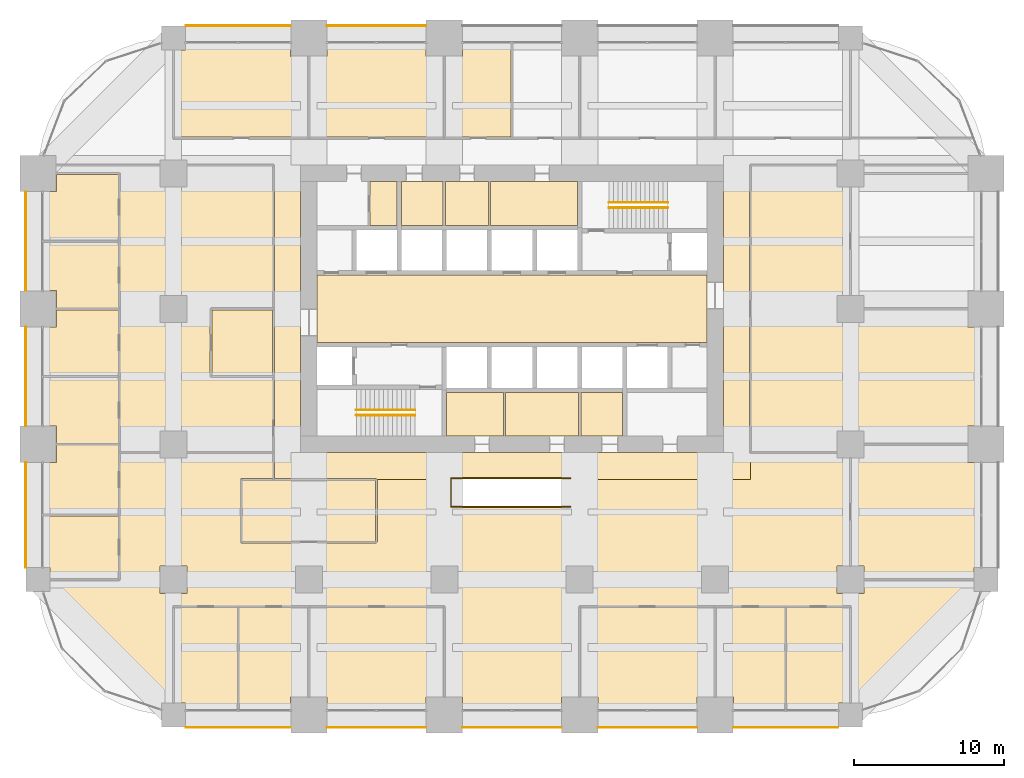
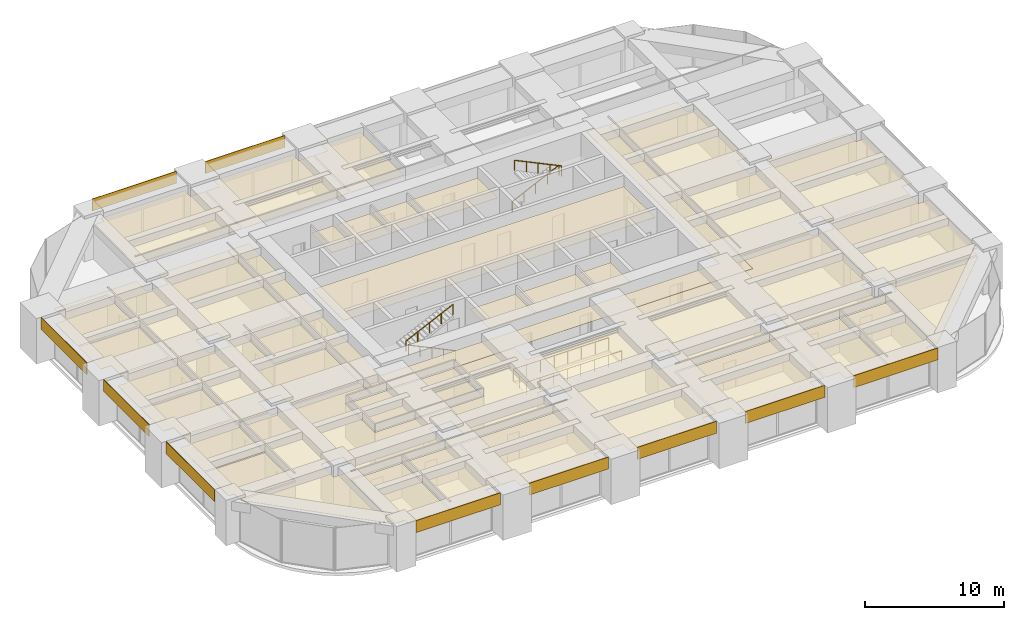
# One storey, part 42 of 43: 40 coverings, 5 railings.
"""IFC4 building model written with IfcOpenShell, lengths in metres."""

import ifcopenshell
import ifcopenshell.guid

model = None  # the IFC model being written
_history = None  # IfcOwnerHistory: only IFC2X3 demands one
_inside = {}  # id of a spatial element -> (the spatial element, [elements in it])
_under = {}  # id of a project, library or spatial element -> (it, [spatial elements below it])
_declared = {}  # id of a project -> (the project, [libraries it declares])
_typed = {}  # id of a type object -> (the type object, [elements of that type])
_made_of = {}  # id of a material, layer set ... -> (it, [elements and type objects made of it])


def new_model(schema):
    """Start an empty IFC model of exactly this schema.

    Asked for "IFC4X3", IfcOpenShell would pick the latest addendum, in which some entities
    have other attributes; the version numbers below select the first issue.
    IFC2X3 requires an IfcOwnerHistory on every rooted entity: one is made here for all.
    """
    global model, _history
    if schema == "IFC4X3":
        model = ifcopenshell.file(schema_version=(4, 3, 0, 0))
    else:
        model = ifcopenshell.file(schema=schema)
    _inside.clear()
    _under.clear()
    _declared.clear()
    _typed.clear()
    _made_of.clear()
    _history = None
    if model.schema == "IFC2X3":
        org = make("IfcOrganization", Name="unknown")
        user = make(
            "IfcPersonAndOrganization",
            ThePerson=make("IfcPerson", FamilyName="unknown"),
            TheOrganization=org,
        )
        app = make(
            "IfcApplication",
            ApplicationDeveloper=org,
            Version="unknown",
            ApplicationFullName="unknown",
            ApplicationIdentifier="unknown",
        )
        _history = make(
            "IfcOwnerHistory",
            OwningUser=user,
            OwningApplication=app,
            ChangeAction="ADDED",
            CreationDate=0,
        )
    return model


def make(cls, **values):
    """One entity of the class cls with the attributes given. An attribute that is None is left unset."""
    return model.create_entity(
        cls, **{name: value for name, value in values.items() if value is not None}
    )


def rooted(cls, **values):
    """An entity with a GlobalId (a new one), such as an element, a storey or a relation."""
    return make(cls, GlobalId=ifcopenshell.guid.new(), OwnerHistory=_history, **values)


def si_unit(unit_type, name, prefix=None):
    """IfcSIUnit, for example si_unit("LENGTHUNIT", "METRE", prefix="MILLI")."""
    return make("IfcSIUnit", UnitType=unit_type, Prefix=prefix, Name=name)


def assignment(units):
    """IfcUnitAssignment: the units of a project."""
    return None if units is None else make("IfcUnitAssignment", Units=units)


def point(xyz):
    """IfcCartesianPoint."""
    return None if xyz is None else make("IfcCartesianPoint", Coordinates=xyz)


def direction(xyz):
    """IfcDirection."""
    return None if xyz is None else make("IfcDirection", DirectionRatios=xyz)


def frame(location, z_axis=None, x_axis=None):
    """IfcAxis2Placement3D, a coordinate frame: its origin and axes. An axis left out is left unset."""
    return make(
        "IfcAxis2Placement3D",
        Location=point(location),
        Axis=direction(z_axis),
        RefDirection=direction(x_axis),
    )


def frame_2d(location, x_axis=None):
    """IfcAxis2Placement2D, a coordinate frame in the plane: its origin and x axis."""
    return make(
        "IfcAxis2Placement2D", Location=point(location), RefDirection=direction(x_axis)
    )


def origin():
    """The frame at (0, 0, 0) with its axes left unset."""
    return frame((0.0, 0.0, 0.0))


def origin_2d():
    """The frame at (0, 0) in the plane with its x axis left unset."""
    return frame_2d((0.0, 0.0))


def place(relative_to, where):
    """IfcLocalPlacement: puts the frame where relative to a parent placement (None: the world)."""
    return make(
        "IfcLocalPlacement", PlacementRelTo=relative_to, RelativePlacement=where
    )


def context(
    kind, dimensions, precision=None, world=None, true_north=None, identifier=None
):
    """IfcGeometricRepresentationContext, for example the 3D "Model" context."""
    return make(
        "IfcGeometricRepresentationContext",
        ContextIdentifier=identifier,
        ContextType=kind,
        CoordinateSpaceDimension=dimensions,
        Precision=precision,
        WorldCoordinateSystem=world,
        TrueNorth=true_north,
    )


def subcontext(parent, identifier, kind, view, scale=None):
    """IfcGeometricRepresentationSubContext, for example "Body" below "Model"."""
    return make(
        "IfcGeometricRepresentationSubContext",
        ContextIdentifier=identifier,
        ContextType=kind,
        ParentContext=parent,
        TargetScale=scale,
        TargetView=view,
    )


def project(units=None, contexts=None):
    """IfcProject with its units and contexts."""
    return rooted(
        "IfcProject",
        Name="project",
        RepresentationContexts=contexts,
        UnitsInContext=assignment(units),
    )


def spatial(cls, under=None, at=None, **own):
    """A site, building, storey or space (cls), placed at a placement, below another one or the project."""
    s = rooted(cls, ObjectPlacement=at, **own)
    if under is not None:
        _under.setdefault(under.id(), (under, []))[1].append(s)
    return s


def polyline(points):
    """IfcPolyline through the points."""
    return make("IfcPolyline", Points=[point(p) for p in points])


def profile(cls, at=None, kind="AREA", **sizes):
    """A parametric profile (cls). Its sizes go by their IFC names, for example OverallWidth=200.0."""
    return make(cls, ProfileType=kind, Position=at, **sizes)


def rectangle(**sizes):
    """IfcRectangleProfileDef."""
    return profile("IfcRectangleProfileDef", **sizes)


def circle(**sizes):
    """IfcCircleProfileDef."""
    return profile("IfcCircleProfileDef", **sizes)


def outline(outer, holes=None, kind="AREA"):
    """IfcArbitraryClosedProfileDef: a profile drawn as a closed curve; with holes, ...WithVoids."""
    if holes is None:
        return make("IfcArbitraryClosedProfileDef", ProfileType=kind, OuterCurve=outer)
    return make(
        "IfcArbitraryProfileDefWithVoids",
        ProfileType=kind,
        OuterCurve=outer,
        InnerCurves=holes,
    )


def extrude(swept, where, along, depth):
    """IfcExtrudedAreaSolid: the profile swept, set in the frame where, extruded along a direction by depth."""
    return make(
        "IfcExtrudedAreaSolid",
        SweptArea=swept,
        Position=where,
        ExtrudedDirection=direction(along),
        Depth=depth,
    )


def shape(context_of_items, identifier, shape_type, items):
    """IfcShapeRepresentation: the items that make up one representation, for example the "Body"."""
    return make(
        "IfcShapeRepresentation",
        ContextOfItems=context_of_items,
        RepresentationIdentifier=identifier,
        RepresentationType=shape_type,
        Items=items,
    )


def material(Name=None, Category=None):
    """IfcMaterial."""
    return make("IfcMaterial", Name=Name, Category=Category)


def layer(
    of_material, thickness, ventilated=None, Name=None, Category=None, Priority=None
):
    """IfcMaterialLayer: one layer of a wall or slab, of a material (None: an air gap)."""
    return make(
        "IfcMaterialLayer",
        Material=of_material,
        LayerThickness=thickness,
        IsVentilated=ventilated,
        Name=Name,
        Category=Category,
        Priority=Priority,
    )


def layer_set(layers, Name=None):
    """IfcMaterialLayerSet."""
    return make("IfcMaterialLayerSet", MaterialLayers=layers, LayerSetName=Name)


def made_of(thing, what):
    """Note that an element or type object is made of a material, layer set ...; save() writes the relation."""
    if what is not None:
        _made_of.setdefault(what.id(), (what, []))[1].append(thing)
    return thing


def type_object(cls, material=None, **own):
    """A type object (cls), such as IfcWallType, which elements share."""
    return made_of(rooted(cls, **own), material)


def element(
    cls,
    number,
    at=None,
    inside=None,
    cuts=None,
    type_object=None,
    material=None,
    context=None,
    identifier="Body",
    shape_type=None,
    held_by="IfcProductDefinitionShape",
    body=None,
    shapes=None,
    **own,
):
    """One element of the class cls, such as IfcWall. Its Tag is "e" and its number.

    at: its placement. inside: the storey or other place that contains it. cuts: it is an
    opening in that element (IfcRelVoidsElement). A single representation is given by context,
    identifier, shape_type and body (its items); several are given by shapes. held_by: the class
    of the entity that holds the representations. save() writes the other relations.
    """
    e = rooted(cls, Tag="e%d" % number, ObjectPlacement=at, **own)
    if body is not None:
        shapes = [shape(context, identifier, shape_type, body)]
    if shapes is not None:
        e.Representation = make(held_by, Representations=shapes)
    if inside is not None:
        _inside.setdefault(inside.id(), (inside, []))[1].append(e)
    if cuts is not None:
        rooted(
            "IfcRelVoidsElement", RelatingBuildingElement=cuts, RelatedOpeningElement=e
        )
    if type_object is not None:
        _typed.setdefault(type_object.id(), (type_object, []))[1].append(e)
    return made_of(e, material)


def aggregate(whole, parts):
    """IfcRelAggregates: a whole, such as a stair, and the parts it consists of."""
    return rooted("IfcRelAggregates", RelatingObject=whole, RelatedObjects=parts)


def save(model, path):
    """Write the relations noted so far, then the file.

    IfcRelAggregates (storeys below a building ...), IfcRelContainedInSpatialStructure (elements
    in a storey), IfcRelDefinesByType, IfcRelAssociatesMaterial and IfcRelDeclares: one each for
    every whole, place, type object, material and project.
    """
    for whole, parts in _under.values():
        aggregate(whole, parts)
    for where, things in _inside.values():
        rooted(
            "IfcRelContainedInSpatialStructure",
            RelatedElements=things,
            RelatingStructure=where,
        )
    for kind, things in _typed.values():
        rooted("IfcRelDefinesByType", RelatedObjects=things, RelatingType=kind)
    for what, things in _made_of.values():
        rooted("IfcRelAssociatesMaterial", RelatedObjects=things, RelatingMaterial=what)
    for by, libraries in _declared.values():
        rooted("IfcRelDeclares", RelatingContext=by, RelatedDefinitions=libraries)
    model.write(path)


model = new_model("IFC4")

# Units and contexts
model_context = context("Model", 3, precision=1e-05, world=origin(), true_north=direction((0.0, 1.0)))
body_context = subcontext(model_context, "Body", "Model", "MODEL_VIEW")
ifc_project = project(units=[si_unit("LENGTHUNIT", "METRE"), si_unit("AREAUNIT", "SQUARE_METRE"), si_unit("VOLUMEUNIT", "CUBIC_METRE"), si_unit("PLANEANGLEUNIT", "RADIAN"), si_unit("MASSUNIT", "GRAM", prefix="KILO")], contexts=[model_context])

# Site, building, storey
site_placement = place(None, origin())
site = spatial("IfcSite", under=ifc_project, at=site_placement, CompositionType="ELEMENT")
building_placement = place(site_placement, origin())
building = spatial("IfcBuilding", under=site, at=building_placement, Name="Zorevar Civic Tower", CompositionType="ELEMENT")
storey_placement = place(building_placement, frame((0.0, 0.0, 141.0)))
storey = spatial("IfcBuildingStorey", under=building, at=storey_placement, Name="L34", CompositionType="ELEMENT", Elevation=141.0)

# Railings
ifc_material_1 = material(Name="Laminated glass balustrade with black steel handrail", Category="steel")
railing_type_1 = type_object("IfcRailingType", Name="Balustrade BL1 1100", PredefinedType="BALUSTRADE", material=ifc_material_1)
railing_1_placement = place(storey_placement, frame((35.39990234375, 13.85009765625, 0.0)))
element("IfcRailing", 1, at=railing_1_placement, inside=storey, type_object=railing_type_1, Name="Balustrade BL1 stair void L34", PredefinedType="BALUSTRADE", context=body_context, shape_type="SweptSolid", body=[
    extrude(circle(Radius=0.02392578125, at=origin_2d()), frame((0.0, 0.0, 1.076171875), z_axis=(-1.0, 0.0, 0.0), x_axis=(0.0, -1.0, 0.0)), (0.0, 0.0, 1.0), 7.949951171875),
    extrude(circle(Radius=0.02392578125, at=origin_2d()), frame((-7.949951171875, 0.0, 1.076171875), z_axis=(0.0, 1.0, 0.0), x_axis=(-1.0, 0.0, 0.0)), (0.0, 0.0, 1.0), 1.89990234375),
    extrude(circle(Radius=0.02392578125, at=origin_2d()), frame((-7.949951171875, 1.89990234375, 1.076171875), z_axis=(1.0, 0.0, 0.0), x_axis=(0.0, 1.0, 0.0)), (0.0, 0.0, 1.0), 7.949951171875),
    extrude(circle(Radius=0.02099609375, at=origin_2d()), origin(), (0.0, 0.0, 1.0), 1.052001953125),
    extrude(circle(Radius=0.02099609375, at=origin_2d()), frame((-1.1357421875, 0.0, 0.0)), (0.0, 0.0, 1.0), 1.052001953125),
    extrude(circle(Radius=0.02099609375, at=origin_2d()), frame((-2.271484375, 0.0, 0.0)), (0.0, 0.0, 1.0), 1.052001953125),
    extrude(circle(Radius=0.02099609375, at=origin_2d()), frame((-3.4072265625, 0.0, 0.0)), (0.0, 0.0, 1.0), 1.052001953125),
    extrude(circle(Radius=0.02099609375, at=origin_2d()), frame((-4.542724609375, 0.0, 0.0)), (0.0, 0.0, 1.0), 1.052001953125),
    extrude(circle(Radius=0.02099609375, at=origin_2d()), frame((-5.678466796875, 0.0, 0.0)), (0.0, 0.0, 1.0), 1.052001953125),
    extrude(circle(Radius=0.02099609375, at=origin_2d()), frame((-6.814208984375, 0.0, 0.0)), (0.0, 0.0, 1.0), 1.052001953125),
    extrude(circle(Radius=0.02099609375, at=origin_2d()), frame((-7.949951171875, 0.0, 0.0)), (0.0, 0.0, 1.0), 1.052001953125),
    extrude(circle(Radius=0.02099609375, at=origin_2d()), frame((-7.949951171875, 0.949951171875, 0.0)), (0.0, 0.0, 1.0), 1.052001953125),
    extrude(circle(Radius=0.02099609375, at=origin_2d()), frame((-7.949951171875, 1.89990234375, 0.0)), (0.0, 0.0, 1.0), 1.052001953125),
    extrude(circle(Radius=0.02099609375, at=origin_2d()), frame((-6.814208984375, 1.89990234375, 0.0)), (0.0, 0.0, 1.0), 1.052001953125),
    extrude(circle(Radius=0.02099609375, at=origin_2d()), frame((-5.678466796875, 1.89990234375, 0.0)), (0.0, 0.0, 1.0), 1.052001953125),
    extrude(circle(Radius=0.02099609375, at=origin_2d()), frame((-4.542724609375, 1.89990234375, 0.0)), (0.0, 0.0, 1.0), 1.052001953125),
    extrude(circle(Radius=0.02099609375, at=origin_2d()), frame((-3.4072265625, 1.89990234375, 0.0)), (0.0, 0.0, 1.0), 1.052001953125),
    extrude(circle(Radius=0.02099609375, at=origin_2d()), frame((-2.271484375, 1.89990234375, 0.0)), (0.0, 0.0, 1.0), 1.052001953125),
    extrude(circle(Radius=0.02099609375, at=origin_2d()), frame((-1.1357421875, 1.89990234375, 0.0)), (0.0, 0.0, 1.0), 1.052001953125),
    extrude(circle(Radius=0.02099609375, at=origin_2d()), frame((0.0, 1.89990234375, 0.0)), (0.0, 0.0, 1.0), 1.052001953125),
])
ifc_material_2 = material(Name="Black steel handrail", Category="steel")
railing_type_2 = type_object("IfcRailingType", Name="Handrail HR1 900", PredefinedType="HANDRAIL", material=ifc_material_2)
railing_2_placement = place(storey_placement, frame((25.050048828125, 19.925048828125, 0.142822265625)))
element("IfcRailing", 2, at=railing_2_placement, inside=storey, type_object=railing_type_2, Name="Handrail HR1 ST1 L34", PredefinedType="HANDRAIL", context=body_context, shape_type="SweptSolid", body=[
    extrude(circle(Radius=0.02392578125, at=origin_2d()), frame((0.0, 0.0, 0.8759765625), z_axis=(-0.902863652845, 0.0, 0.429926998885), x_axis=(0.0, -1.0, 0.0)), (0.0, 0.0, 1.0), 4.31982421875),
    extrude(circle(Radius=0.02099609375, at=origin_2d()), origin(), (0.0, 0.0, 1.0), 0.851806640625),
    extrude(circle(Radius=0.02099609375, at=origin_2d()), frame((-0.97509765625, 0.0, 0.46435546875)), (0.0, 0.0, 1.0), 0.851806640625),
    extrude(circle(Radius=0.02099609375, at=origin_2d()), frame((-1.9501953125, 0.0, 0.9287109375)), (0.0, 0.0, 1.0), 0.851806640625),
    extrude(circle(Radius=0.02099609375, at=origin_2d()), frame((-2.925048828125, 0.0, 1.392822265625)), (0.0, 0.0, 1.0), 0.851806640625),
    extrude(circle(Radius=0.02099609375, at=origin_2d()), frame((-3.900146484375, 0.0, 1.857177734375)), (0.0, 0.0, 1.0), 0.851806640625),
])
for number, where, name in (
    (3, (21.14990234375, 20.27490234375, 2.142822265625), "Handrail HR1 ST1 L34"),
    (4, (37.949951171875, 34.074951171875, 0.142822265625), "Handrail HR1 ST2 L34"),
):
    element("IfcRailing", number, at=place(storey_placement, frame(where)), inside=storey, type_object=railing_type_2, Name=name, PredefinedType="HANDRAIL", context=body_context, shape_type="SweptSolid", body=[
        extrude(circle(Radius=0.02392578125, at=origin_2d()), frame((0.0, 0.0, 0.8759765625), z_axis=(0.902863652845, 0.0, 0.429926998885), x_axis=(0.0, 1.0, 0.0)), (0.0, 0.0, 1.0), 4.31982421875),
        extrude(circle(Radius=0.02099609375, at=origin_2d()), origin(), (0.0, 0.0, 1.0), 0.851806640625),
        extrude(circle(Radius=0.02099609375, at=origin_2d()), frame((0.97509765625, 0.0, 0.46435546875)), (0.0, 0.0, 1.0), 0.851806640625),
        extrude(circle(Radius=0.02099609375, at=origin_2d()), frame((1.9501953125, 0.0, 0.9287109375)), (0.0, 0.0, 1.0), 0.851806640625),
        extrude(circle(Radius=0.02099609375, at=origin_2d()), frame((2.925048828125, 0.0, 1.392822265625)), (0.0, 0.0, 1.0), 0.851806640625),
        extrude(circle(Radius=0.02099609375, at=origin_2d()), frame((3.900146484375, 0.0, 1.857177734375)), (0.0, 0.0, 1.0), 0.851806640625),
    ])
railing_3_placement = place(storey_placement, frame((41.85009765625, 33.72509765625, 2.142822265625)))
element("IfcRailing", 5, at=railing_3_placement, inside=storey, type_object=railing_type_2, Name="Handrail HR1 ST2 L34", PredefinedType="HANDRAIL", context=body_context, shape_type="SweptSolid", body=[
    extrude(circle(Radius=0.02392578125, at=origin_2d()), frame((0.0, 0.0, 0.8759765625), z_axis=(-0.902863652845, 0.0, 0.429926998885), x_axis=(0.0, -1.0, 0.0)), (0.0, 0.0, 1.0), 4.31982421875),
    extrude(circle(Radius=0.02099609375, at=origin_2d()), origin(), (0.0, 0.0, 1.0), 0.851806640625),
    extrude(circle(Radius=0.02099609375, at=origin_2d()), frame((-0.97509765625, 0.0, 0.46435546875)), (0.0, 0.0, 1.0), 0.851806640625),
    extrude(circle(Radius=0.02099609375, at=origin_2d()), frame((-1.9501953125, 0.0, 0.9287109375)), (0.0, 0.0, 1.0), 0.851806640625),
    extrude(circle(Radius=0.02099609375, at=origin_2d()), frame((-2.925048828125, 0.0, 1.392822265625)), (0.0, 0.0, 1.0), 0.851806640625),
    extrude(circle(Radius=0.02099609375, at=origin_2d()), frame((-3.900146484375, 0.0, 1.857177734375)), (0.0, 0.0, 1.0), 0.851806640625),
])

# Coverings
ifc_material_3 = material(Name="Moisture-resistant gypsum board")
ifc_layer_1 = layer(ifc_material_3, 0.012451171875)
ifc_layer_set_1 = layer_set([ifc_layer_1], Name="Moisture-resistant ceiling SC3")
covering_type_1 = type_object("IfcCoveringType", Name="Moisture-resistant ceiling SC3", PredefinedType="CEILING", material=ifc_layer_set_1)
covering_1_placement = place(storey_placement, frame((0.0, 0.0, 3.0)))
element("IfcCovering", 6, at=covering_1_placement, inside=storey, type_object=covering_type_1, Name="Ceiling L34-05", PredefinedType="CEILING", context=body_context, shape_type="SweptSolid", body=[
    extrude(outline(polyline([(30.925048828125, 18.550048828125), (30.925048828125, 21.449951171875), (27.14990234375, 21.449951171875), (27.14990234375, 18.550048828125), (30.925048828125, 18.550048828125)])), origin(), (0.0, 0.0, 1.0), 0.012451171875),
])
covering_2_placement = place(storey_placement, frame((0.0, 0.0, 3.0)))
element("IfcCovering", 7, at=covering_2_placement, inside=storey, type_object=covering_type_1, Name="Ceiling L34-06", PredefinedType="CEILING", context=body_context, shape_type="SweptSolid", body=[
    extrude(outline(polyline([(35.925048828125, 18.550048828125), (35.925048828125, 21.449951171875), (31.074951171875, 21.449951171875), (31.074951171875, 18.550048828125), (35.925048828125, 18.550048828125)])), origin(), (0.0, 0.0, 1.0), 0.012451171875),
])
covering_3_placement = place(storey_placement, frame((0.0, 0.0, 3.0)))
element("IfcCovering", 8, at=covering_3_placement, inside=storey, type_object=covering_type_1, Name="Ceiling L34-07", PredefinedType="CEILING", context=body_context, shape_type="SweptSolid", body=[
    extrude(outline(polyline([(38.85009765625, 18.550048828125), (38.85009765625, 21.449951171875), (36.074951171875, 21.449951171875), (36.074951171875, 18.550048828125), (38.85009765625, 18.550048828125)])), origin(), (0.0, 0.0, 1.0), 0.012451171875),
])
covering_4_placement = place(storey_placement, frame((0.0, 0.0, 3.0)))
element("IfcCovering", 9, at=covering_4_placement, inside=storey, type_object=covering_type_1, Name="Ceiling L34-10", PredefinedType="CEILING", context=body_context, shape_type="SweptSolid", body=[
    extrude(outline(polyline([(26.925048828125, 32.550048828125), (26.925048828125, 35.449951171875), (24.14990234375, 35.449951171875), (24.14990234375, 32.550048828125), (26.925048828125, 32.550048828125)])), origin(), (0.0, 0.0, 1.0), 0.012451171875),
])
ifc_material_4 = material(Name="Black anodised aluminium spandrel panel", Category="aluminium")
ifc_layer_2 = layer(ifc_material_4, 0.050048828125)
ifc_layer_set_2 = layer_set([ifc_layer_2], Name="Spandrel cladding SP1")
covering_type_2 = type_object("IfcCoveringType", Name="Spandrel cladding SP1", PredefinedType="CLADDING", material=ifc_layer_set_2)
covering_5_placement = place(storey_placement, frame((9.800048828125, -0.824951171875, 2.949951171875), z_axis=(0.0, 0.0, 1.0), x_axis=(1.0, 0.0, 0.0)))
element("IfcCovering", 10, at=covering_5_placement, inside=storey, type_object=covering_type_2, Name="Spandrel cladding L35", PredefinedType="CLADDING", context=body_context, shape_type="SweptSolid", body=[
    extrude(rectangle(XDim=7.0, YDim=0.050048828125, at=frame_2d((3.5, 0.0))), origin(), (0.0, 0.0, 1.0), 1.050048828125),
])
for number, where, z_axis, x_axis, name in (
    (11, (19.199951171875, -0.824951171875, 2.949951171875), (0.0, 0.0, 1.0), (1.0, 0.0, 0.0), "Spandrel cladding L35"),
    (12, (28.199951171875, -0.824951171875, 2.949951171875), (0.0, 0.0, 1.0), (1.0, 0.0, 0.0), "Spandrel cladding L35"),
    (13, (37.199951171875, -0.824951171875, 2.949951171875), (0.0, 0.0, 1.0), (1.0, 0.0, 0.0), "Spandrel cladding L35"),
):
    element("IfcCovering", number, at=place(storey_placement, frame(where, z_axis=z_axis, x_axis=x_axis)), inside=storey, type_object=covering_type_2, Name=name, PredefinedType="CLADDING", context=body_context, shape_type="SweptSolid", body=[
        extrude(rectangle(XDim=6.60009765625, YDim=0.050048828125, at=frame_2d((3.300048828125, 0.0))), origin(), (0.0, 0.0, 1.0), 1.050048828125),
    ])
for number, where, z_axis, x_axis, name in (
    (14, (46.199951171875, -0.824951171875, 2.949951171875), (0.0, 0.0, 1.0), (1.0, 0.0, 0.0), "Spandrel cladding L35"),
    (15, (9.800048828125, 45.824951171875, 2.949951171875), (0.0, 0.0, 1.0), (1.0, 0.0, 0.0), "Spandrel cladding L35"),
):
    element("IfcCovering", number, at=place(storey_placement, frame(where, z_axis=z_axis, x_axis=x_axis)), inside=storey, type_object=covering_type_2, Name=name, PredefinedType="CLADDING", context=body_context, shape_type="SweptSolid", body=[
        extrude(rectangle(XDim=7.0, YDim=0.050048828125, at=frame_2d((3.5, 0.0))), origin(), (0.0, 0.0, 1.0), 1.050048828125),
    ])
covering_6_placement = place(storey_placement, frame((19.199951171875, 45.824951171875, 2.949951171875), z_axis=(0.0, 0.0, 1.0), x_axis=(1.0, 0.0, 0.0)))
element("IfcCovering", 16, at=covering_6_placement, inside=storey, type_object=covering_type_2, Name="Spandrel cladding L35", PredefinedType="CLADDING", context=body_context, shape_type="SweptSolid", body=[
    extrude(rectangle(XDim=6.60009765625, YDim=0.050048828125, at=frame_2d((3.300048828125, 0.0))), origin(), (0.0, 0.0, 1.0), 1.050048828125),
])
covering_7_placement = place(storey_placement, frame((-0.824951171875, 9.800048828125, 2.949951171875), z_axis=(0.0, 0.0, 1.0), x_axis=(0.0, 1.0, 0.0)))
element("IfcCovering", 17, at=covering_7_placement, inside=storey, type_object=covering_type_2, Name="Spandrel cladding L35", PredefinedType="CLADDING", context=body_context, shape_type="SweptSolid", body=[
    extrude(rectangle(XDim=7.0, YDim=0.050048828125, at=frame_2d((3.5, 0.0))), origin(), (0.0, 0.0, 1.0), 1.050048828125),
])
for number, where, z_axis, x_axis, name in (
    (18, (-0.824951171875, 19.199951171875, 2.949951171875), (0.0, 0.0, 1.0), (0.0, 1.0, 0.0), "Spandrel cladding L35"),
    (19, (-0.824951171875, 28.199951171875, 2.949951171875), (0.0, 0.0, 1.0), (0.0, 1.0, 0.0), "Spandrel cladding L35"),
):
    element("IfcCovering", number, at=place(storey_placement, frame(where, z_axis=z_axis, x_axis=x_axis)), inside=storey, type_object=covering_type_2, Name=name, PredefinedType="CLADDING", context=body_context, shape_type="SweptSolid", body=[
        extrude(rectangle(XDim=6.60009765625, YDim=0.050048828125, at=frame_2d((3.300048828125, 0.0))), origin(), (0.0, 0.0, 1.0), 1.050048828125),
    ])
ifc_material_5 = material(Name="Mineral fibre tiles on a concealed grid")
ifc_layer_3 = layer(ifc_material_5, 0.02001953125)
ifc_layer_set_3 = layer_set([ifc_layer_3], Name="Suspended ceiling SC1")
covering_type_3 = type_object("IfcCoveringType", Name="Suspended ceiling SC1", PredefinedType="CEILING", material=ifc_layer_set_3)
covering_8_placement = place(storey_placement, frame((0.0, 0.0, 3.0)))
element("IfcCovering", 20, at=covering_8_placement, inside=storey, type_object=covering_type_3, Name="Ceiling L34-08", PredefinedType="CEILING", context=body_context, shape_type="SweptSolid", body=[
    extrude(outline(polyline([(35.85009765625, 32.550048828125), (35.85009765625, 35.449951171875), (30.06005859375, 35.449951171875), (30.06005859375, 32.550048828125), (35.85009765625, 32.550048828125)])), origin(), (0.0, 0.0, 1.0), 0.02001953125),
])
covering_9_placement = place(storey_placement, frame((0.0, 0.0, 3.0)))
element("IfcCovering", 21, at=covering_9_placement, inside=storey, type_object=covering_type_3, Name="Ceiling L34-09", PredefinedType="CEILING", context=body_context, shape_type="SweptSolid", body=[
    extrude(outline(polyline([(29.93994140625, 32.550048828125), (29.93994140625, 35.449951171875), (27.074951171875, 35.449951171875), (27.074951171875, 32.550048828125), (29.93994140625, 32.550048828125)])), origin(), (0.0, 0.0, 1.0), 0.02001953125),
])
covering_10_placement = place(storey_placement, frame((0.0, 0.0, 3.0)))
element("IfcCovering", 22, at=covering_10_placement, inside=storey, type_object=covering_type_3, Name="Ceiling L34-12", PredefinedType="CEILING", context=body_context, shape_type="SweptSolid", body=[
    extrude(outline(polyline([(23.85009765625, 32.550048828125), (23.85009765625, 35.449951171875), (22.06005859375, 35.449951171875), (22.06005859375, 32.550048828125), (23.85009765625, 32.550048828125)])), origin(), (0.0, 0.0, 1.0), 0.02001953125),
])
covering_11_placement = place(storey_placement, frame((0.0, 0.0, 3.0)))
element("IfcCovering", 23, at=covering_11_placement, inside=storey, type_object=covering_type_3, Name="Ceiling L34-16", PredefinedType="CEILING", context=body_context, shape_type="SweptSolid", body=[
    extrude(outline(polyline([(44.449951171875, 24.75), (44.449951171875, 29.25), (18.550048828125, 29.25), (18.550048828125, 24.75), (44.449951171875, 24.75)])), origin(), (0.0, 0.0, 1.0), 0.02001953125),
])
covering_12_placement = place(storey_placement, frame((0.0, 0.0, 3.0)))
element("IfcCovering", 24, at=covering_12_placement, inside=storey, type_object=covering_type_3, Name="Ceiling L34-17", PredefinedType="CEILING", context=body_context, shape_type="SweptSolid", body=[
    extrude(outline(polyline([(9.81005859375, 44.18994140625), (9.81005859375, 44.64990234375), (16.7900390625, 44.64990234375), (16.7900390625, 43.7900390625), (17.93994140625, 43.7900390625), (17.93994140625, 38.409912109375), (9.06005859375, 38.409912109375), (9.06005859375, 44.18994140625), (9.81005859375, 44.18994140625)])), origin(), (0.0, 0.0, 1.0), 0.02001953125),
])
covering_13_placement = place(storey_placement, frame((0.0, 0.0, 3.0)))
element("IfcCovering", 25, at=covering_13_placement, inside=storey, type_object=covering_type_3, Name="Ceiling L34-18", PredefinedType="CEILING", context=body_context, shape_type="SweptSolid", body=[
    extrude(outline(polyline([(19.2099609375, 43.7900390625), (19.2099609375, 44.64990234375), (25.7900390625, 44.64990234375), (25.7900390625, 43.7900390625), (26.93994140625, 43.7900390625), (26.93994140625, 38.409912109375), (18.06005859375, 38.409912109375), (18.06005859375, 43.7900390625), (19.2099609375, 43.7900390625)])), origin(), (0.0, 0.0, 1.0), 0.02001953125),
])
covering_14_placement = place(storey_placement, frame((0.0, 0.0, 3.0)))
element("IfcCovering", 26, at=covering_14_placement, inside=storey, type_object=covering_type_3, Name="Ceiling L34-19", PredefinedType="CEILING", context=body_context, shape_type="SweptSolid", body=[
    extrude(outline(polyline([(27.06005859375, 38.409912109375), (27.06005859375, 43.7900390625), (28.2099609375, 43.7900390625), (28.2099609375, 44.64990234375), (31.43994140625, 44.64990234375), (31.43994140625, 38.409912109375), (27.06005859375, 38.409912109375)])), origin(), (0.0, 0.0, 1.0), 0.02001953125),
])
covering_15_placement = place(storey_placement, frame((0.0, 0.0, 3.0)))
element("IfcCovering", 27, at=covering_15_placement, inside=storey, type_object=covering_type_3, Name="Ceiling L34-23", PredefinedType="CEILING", context=body_context, shape_type="SweptSolid", body=[
    extrude(outline(polyline([(13.239990234375, 7.139892578125), (13.239990234375, 0.35009765625), (9.81005859375, 0.35009765625), (9.81005859375, 0.81005859375), (9.06005859375, 0.81005859375), (9.06005859375, 7.139892578125), (13.239990234375, 7.139892578125)])), origin(), (0.0, 0.0, 1.0), 0.02001953125),
])
covering_16_placement = place(storey_placement, frame((0.0, 0.0, 3.0)))
element("IfcCovering", 28, at=covering_16_placement, inside=storey, type_object=covering_type_3, Name="Ceiling L34-24", PredefinedType="CEILING", context=body_context, shape_type="SweptSolid", body=[
    extrude(outline(polyline([(17.93994140625, 7.139892578125), (17.93994140625, 1.2099609375), (16.7900390625, 1.2099609375), (16.7900390625, 0.35009765625), (13.360107421875, 0.35009765625), (13.360107421875, 7.139892578125), (17.93994140625, 7.139892578125)])), origin(), (0.0, 0.0, 1.0), 0.02001953125),
])
covering_17_placement = place(storey_placement, frame((0.0, 0.0, 3.0)))
element("IfcCovering", 29, at=covering_17_placement, inside=storey, type_object=covering_type_3, Name="Ceiling L34-25", PredefinedType="CEILING", context=body_context, shape_type="SweptSolid", body=[
    extrude(outline(polyline([(19.2099609375, 0.35009765625), (19.2099609375, 1.2099609375), (18.06005859375, 1.2099609375), (18.06005859375, 7.139892578125), (26.93994140625, 7.139892578125), (26.93994140625, 1.2099609375), (25.7900390625, 1.2099609375), (25.7900390625, 0.35009765625), (19.2099609375, 0.35009765625)])), origin(), (0.0, 0.0, 1.0), 0.02001953125),
])
covering_18_placement = place(storey_placement, frame((0.0, 0.0, 3.0)))
element("IfcCovering", 30, at=covering_18_placement, inside=storey, type_object=covering_type_3, Name="Ceiling L34-26", PredefinedType="CEILING", context=body_context, shape_type="SweptSolid", body=[
    extrude(outline(polyline([(37.2099609375, 0.35009765625), (37.2099609375, 1.2099609375), (36.06005859375, 1.2099609375), (36.06005859375, 7.139892578125), (44.93994140625, 7.139892578125), (44.93994140625, 1.2099609375), (43.7900390625, 1.2099609375), (43.7900390625, 0.35009765625), (37.2099609375, 0.35009765625)])), origin(), (0.0, 0.0, 1.0), 0.02001953125),
])
covering_19_placement = place(storey_placement, frame((0.0, 0.0, 3.0)))
element("IfcCovering", 31, at=covering_19_placement, inside=storey, type_object=covering_type_3, Name="Ceiling L34-27", PredefinedType="CEILING", context=body_context, shape_type="SweptSolid", body=[
    extrude(outline(polyline([(49.639892578125, 7.139892578125), (49.639892578125, 0.35009765625), (46.2099609375, 0.35009765625), (46.2099609375, 1.2099609375), (45.06005859375, 1.2099609375), (45.06005859375, 7.139892578125), (49.639892578125, 7.139892578125)])), origin(), (0.0, 0.0, 1.0), 0.02001953125),
])
covering_20_placement = place(storey_placement, frame((0.0, 0.0, 3.0)))
element("IfcCovering", 32, at=covering_20_placement, inside=storey, type_object=covering_type_3, Name="Ceiling L34-28", PredefinedType="CEILING", context=body_context, shape_type="SweptSolid", body=[
    extrude(outline(polyline([(53.93994140625, 7.139892578125), (53.93994140625, 0.81005859375), (53.18994140625, 0.81005859375), (53.18994140625, 0.35009765625), (49.760009765625, 0.35009765625), (49.760009765625, 7.139892578125), (53.93994140625, 7.139892578125)])), origin(), (0.0, 0.0, 1.0), 0.02001953125),
])
covering_21_placement = place(storey_placement, frame((0.0, 0.0, 3.0)))
element("IfcCovering", 33, at=covering_21_placement, inside=storey, type_object=covering_type_3, Name="Ceiling L34-29", PredefinedType="CEILING", context=body_context, shape_type="SweptSolid", body=[
    extrude(outline(polyline([(5.340087890625, 9.06005859375), (0.81005859375, 9.06005859375), (0.81005859375, 9.81005859375), (0.35009765625, 9.81005859375), (0.35009765625, 13.239990234375), (5.340087890625, 13.239990234375), (5.340087890625, 9.06005859375)])), origin(), (0.0, 0.0, 1.0), 0.02001953125),
])
covering_22_placement = place(storey_placement, frame((0.0, 0.0, 3.0)))
element("IfcCovering", 34, at=covering_22_placement, inside=storey, type_object=covering_type_3, Name="Ceiling L34-30", PredefinedType="CEILING", context=body_context, shape_type="SweptSolid", body=[
    extrude(outline(polyline([(5.340087890625, 13.360107421875), (0.35009765625, 13.360107421875), (0.35009765625, 16.7900390625), (1.2099609375, 16.7900390625), (1.2099609375, 17.93994140625), (5.340087890625, 17.93994140625), (5.340087890625, 13.360107421875)])), origin(), (0.0, 0.0, 1.0), 0.02001953125),
])
covering_23_placement = place(storey_placement, frame((0.0, 0.0, 3.0)))
element("IfcCovering", 35, at=covering_23_placement, inside=storey, type_object=covering_type_3, Name="Ceiling L34-31", PredefinedType="CEILING", context=body_context, shape_type="SweptSolid", body=[
    extrude(outline(polyline([(5.340087890625, 18.06005859375), (1.2099609375, 18.06005859375), (1.2099609375, 19.2099609375), (0.35009765625, 19.2099609375), (0.35009765625, 22.43994140625), (5.340087890625, 22.43994140625), (5.340087890625, 18.06005859375)])), origin(), (0.0, 0.0, 1.0), 0.02001953125),
])
covering_24_placement = place(storey_placement, frame((0.0, 0.0, 3.0)))
element("IfcCovering", 36, at=covering_24_placement, inside=storey, type_object=covering_type_3, Name="Ceiling L34-32", PredefinedType="CEILING", context=body_context, shape_type="SweptSolid", body=[
    extrude(outline(polyline([(5.340087890625, 22.56005859375), (0.35009765625, 22.56005859375), (0.35009765625, 25.7900390625), (1.2099609375, 25.7900390625), (1.2099609375, 26.93994140625), (5.340087890625, 26.93994140625), (5.340087890625, 22.56005859375)])), origin(), (0.0, 0.0, 1.0), 0.02001953125),
])
covering_25_placement = place(storey_placement, frame((0.0, 0.0, 3.0)))
element("IfcCovering", 37, at=covering_25_placement, inside=storey, type_object=covering_type_3, Name="Ceiling L34-33", PredefinedType="CEILING", context=body_context, shape_type="SweptSolid", body=[
    extrude(outline(polyline([(5.340087890625, 27.06005859375), (1.2099609375, 27.06005859375), (1.2099609375, 28.2099609375), (0.35009765625, 28.2099609375), (0.35009765625, 31.43994140625), (5.340087890625, 31.43994140625), (5.340087890625, 27.06005859375)])), origin(), (0.0, 0.0, 1.0), 0.02001953125),
])
covering_26_placement = place(storey_placement, frame((0.0, 0.0, 3.0)))
element("IfcCovering", 38, at=covering_26_placement, inside=storey, type_object=covering_type_3, Name="Ceiling L34-34", PredefinedType="CEILING", context=body_context, shape_type="SweptSolid", body=[
    extrude(outline(polyline([(5.340087890625, 31.56005859375), (0.35009765625, 31.56005859375), (0.35009765625, 34.7900390625), (1.2099609375, 34.7900390625), (1.2099609375, 35.93994140625), (5.340087890625, 35.93994140625), (5.340087890625, 31.56005859375)])), origin(), (0.0, 0.0, 1.0), 0.02001953125),
])
covering_27_placement = place(storey_placement, frame((0.0, 0.0, 3.0)))
element("IfcCovering", 39, at=covering_27_placement, inside=storey, type_object=covering_type_3, Name="Ceiling L34-35", PredefinedType="CEILING", context=body_context, shape_type="SweptSolid", body=[
    extrude(outline(polyline([(62.64990234375, 9.81005859375), (62.18994140625, 9.81005859375), (62.18994140625, 9.06005859375), (54.909912109375, 9.06005859375), (54.909912109375, 9.909912109375), (54.06005859375, 9.909912109375), (54.06005859375, 17.090087890625), (54.909912109375, 17.090087890625), (54.909912109375, 17.93994140625), (61.7900390625, 17.93994140625), (61.7900390625, 16.7900390625), (62.64990234375, 16.7900390625), (62.64990234375, 9.81005859375)])), origin(), (0.0, 0.0, 1.0), 0.02001953125),
])
covering_28_placement = place(storey_placement, frame((0.0, 0.0, 3.0)))
element("IfcCovering", 40, at=covering_28_placement, inside=storey, type_object=covering_type_3, Name="Ceiling L34-37", PredefinedType="CEILING", context=body_context, shape_type="SweptSolid", body=[
    extrude(outline(polyline([(13.56005859375, 15.590087890625), (22.43994140625, 15.590087890625), (22.43994140625, 11.550048828125), (13.56005859375, 11.550048828125), (13.56005859375, 15.590087890625)])), origin(), (0.0, 0.0, 1.0), 0.02001953125),
])
covering_29_placement = place(storey_placement, frame((0.0, 0.0, 3.0)))
element("IfcCovering", 41, at=covering_29_placement, inside=storey, type_object=covering_type_3, Name="Ceiling L34-38", PredefinedType="CEILING", context=body_context, shape_type="SweptSolid", body=[
    extrude(outline(polyline([(11.56005859375, 26.93994140625), (15.590087890625, 26.93994140625), (15.590087890625, 22.56005859375), (11.56005859375, 22.56005859375), (11.56005859375, 26.93994140625)])), origin(), (0.0, 0.0, 1.0), 0.02001953125),
])
covering_30_placement = place(storey_placement, frame((0.0, 0.0, 3.0)))
element("IfcCovering", 42, at=covering_30_placement, inside=storey, type_object=covering_type_3, Name="Ceiling L34-40", PredefinedType="CEILING", context=body_context, shape_type="SweptSolid", body=[
    extrude(outline(polyline([(27.5, 15.64990234375), (22.5, 15.64990234375), (22.5, 15.7099609375), (15.699951171875, 15.7099609375), (15.699951171875, 22.5), (15.7099609375, 22.5), (15.7099609375, 27.0), (15.699951171875, 27.0), (15.699951171875, 36.550048828125), (17.449951171875, 36.550048828125), (17.449951171875, 17.449951171875), (45.550048828125, 17.449951171875), (45.550048828125, 36.550048828125), (47.300048828125, 36.550048828125), (47.300048828125, 17.449951171875), (47.35009765625, 17.449951171875), (47.35009765625, 15.64990234375), (35.39990234375, 15.64990234375), (35.39990234375, 15.699951171875), (27.5, 15.699951171875), (27.5, 15.64990234375)])), origin(), (0.0, 0.0, 1.0), 0.02001953125),
])
covering_31_placement = place(storey_placement, frame((0.0, 0.0, 3.0)))
element("IfcCovering", 43, at=covering_31_placement, inside=storey, type_object=covering_type_3, Name="Ceiling L34-41", PredefinedType="CEILING", context=body_context, shape_type="SweptSolid", body=[
    extrude(outline(polyline([(62.64990234375, 19.2099609375), (61.7900390625, 19.2099609375), (61.7900390625, 18.06005859375), (54.909912109375, 18.06005859375), (54.909912109375, 18.909912109375), (53.090087890625, 18.909912109375), (53.090087890625, 17.5), (47.39990234375, 17.5), (47.39990234375, 36.5), (53.090087890625, 36.5), (53.090087890625, 35.090087890625), (53.93994140625, 35.090087890625), (53.93994140625, 27.909912109375), (53.090087890625, 27.909912109375), (53.090087890625, 26.090087890625), (54.909912109375, 26.090087890625), (54.909912109375, 26.93994140625), (61.7900390625, 26.93994140625), (61.7900390625, 25.7900390625), (62.64990234375, 25.7900390625), (62.64990234375, 19.2099609375)])), origin(), (0.0, 0.0, 1.0), 0.02001953125),
])
covering_32_placement = place(storey_placement, frame((0.0, 0.0, 3.0)))
element("IfcCovering", 44, at=covering_32_placement, inside=storey, type_object=covering_type_3, Name="Ceiling L34-43", PredefinedType="CEILING", context=body_context, shape_type="SweptSolid", body=[
    extrude(outline(polyline([(9.909912109375, 17.090087890625), (9.909912109375, 17.39990234375), (15.60009765625, 17.39990234375), (15.60009765625, 15.7099609375), (13.5, 15.7099609375), (13.5, 15.64990234375), (13.43994140625, 15.64990234375), (13.43994140625, 11.5), (13.5, 11.5), (13.5, 11.449951171875), (22.5, 11.449951171875), (22.5, 11.5), (22.56005859375, 11.5), (22.56005859375, 15.64990234375), (27.5, 15.64990234375), (27.5, 13.89990234375), (35.39990234375, 13.89990234375), (35.39990234375, 15.64990234375), (47.35009765625, 15.64990234375), (47.35009765625, 17.39990234375), (53.090087890625, 17.39990234375), (53.090087890625, 17.090087890625), (53.93994140625, 17.090087890625), (53.93994140625, 9.909912109375), (53.090087890625, 9.909912109375), (53.090087890625, 8.090087890625), (54.909912109375, 8.090087890625), (54.909912109375, 8.93994140625), (62.18994140625, 8.93994140625), (62.18994140625, 8.897216796875), (54.102783203125, 0.81005859375), (54.06005859375, 0.81005859375), (54.06005859375, 7.199951171875), (54.0, 7.199951171875), (54.0, 7.260009765625), (36.0, 7.260009765625), (36.0, 7.199951171875), (35.93994140625, 7.199951171875), (35.93994140625, 1.2099609375), (34.7900390625, 1.2099609375), (34.7900390625, 0.35009765625), (28.2099609375, 0.35009765625), (28.2099609375, 1.2099609375), (27.06005859375, 1.2099609375), (27.06005859375, 7.199951171875), (27.0, 7.199951171875), (27.0, 7.260009765625), (9.0, 7.260009765625), (9.0, 7.199951171875), (8.93994140625, 7.199951171875), (8.93994140625, 0.81005859375), (8.897216796875, 0.81005859375), (0.81005859375, 8.897216796875), (0.81005859375, 8.93994140625), (5.39990234375, 8.93994140625), (5.39990234375, 9.0), (5.4599609375, 9.0), (5.4599609375, 17.39990234375), (8.090087890625, 17.39990234375), (8.090087890625, 17.090087890625), (9.909912109375, 17.090087890625)]), holes=[polyline([(8.090087890625, 9.909912109375), (8.090087890625, 8.090087890625), (9.909912109375, 8.090087890625), (9.909912109375, 9.909912109375), (8.090087890625, 9.909912109375)]), polyline([(18.909912109375, 8.090087890625), (18.909912109375, 9.909912109375), (17.090087890625, 9.909912109375), (17.090087890625, 8.090087890625), (18.909912109375, 8.090087890625)]), polyline([(26.090087890625, 9.909912109375), (26.090087890625, 8.090087890625), (27.909912109375, 8.090087890625), (27.909912109375, 9.909912109375), (26.090087890625, 9.909912109375)]), polyline([(36.909912109375, 8.090087890625), (36.909912109375, 9.909912109375), (35.090087890625, 9.909912109375), (35.090087890625, 8.090087890625), (36.909912109375, 8.090087890625)]), polyline([(44.090087890625, 8.090087890625), (45.909912109375, 8.090087890625), (45.909912109375, 9.909912109375), (44.090087890625, 9.909912109375), (44.090087890625, 8.090087890625)])]), origin(), (0.0, 0.0, 1.0), 0.02001953125),
])
covering_33_placement = place(storey_placement, frame((0.0, 0.0, 3.0)))
element("IfcCovering", 45, at=covering_33_placement, inside=storey, type_object=covering_type_3, Name="Ceiling L34-44", PredefinedType="CEILING", context=body_context, shape_type="SweptSolid", body=[
    extrude(outline(polyline([(15.60009765625, 17.5), (9.909912109375, 17.5), (9.909912109375, 18.909912109375), (8.090087890625, 18.909912109375), (8.090087890625, 17.5), (5.4599609375, 17.5), (5.4599609375, 36.0), (5.39990234375, 36.0), (5.39990234375, 36.06005859375), (1.2099609375, 36.06005859375), (1.2099609375, 36.5), (8.090087890625, 36.5), (8.090087890625, 35.090087890625), (9.909912109375, 35.090087890625), (9.909912109375, 36.5), (15.60009765625, 36.5), (15.60009765625, 27.06005859375), (11.5, 27.06005859375), (11.5, 27.0), (11.43994140625, 27.0), (11.43994140625, 22.5), (11.5, 22.5), (11.5, 22.43994140625), (15.60009765625, 22.43994140625), (15.60009765625, 17.5)]), holes=[polyline([(8.090087890625, 27.909912109375), (8.090087890625, 26.090087890625), (9.909912109375, 26.090087890625), (9.909912109375, 27.909912109375), (8.090087890625, 27.909912109375)])]), origin(), (0.0, 0.0, 1.0), 0.02001953125),
])

save(model, "model.ifc")
